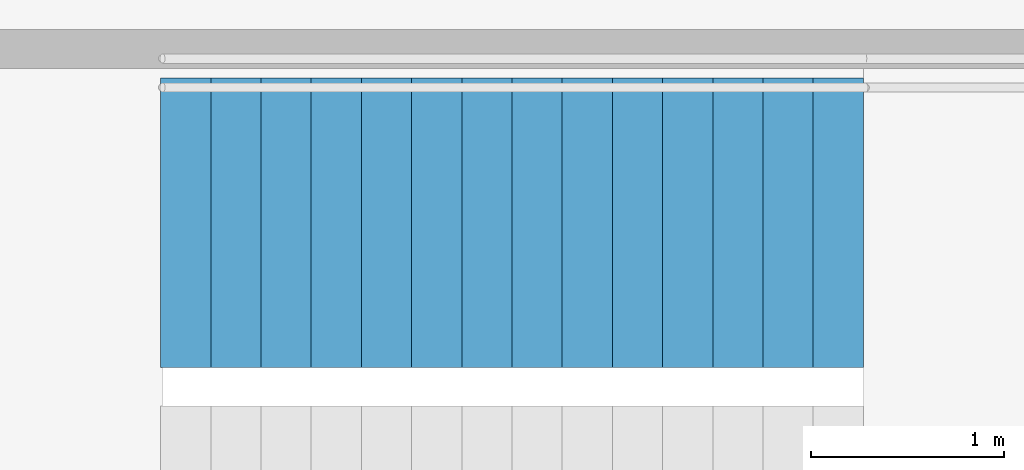
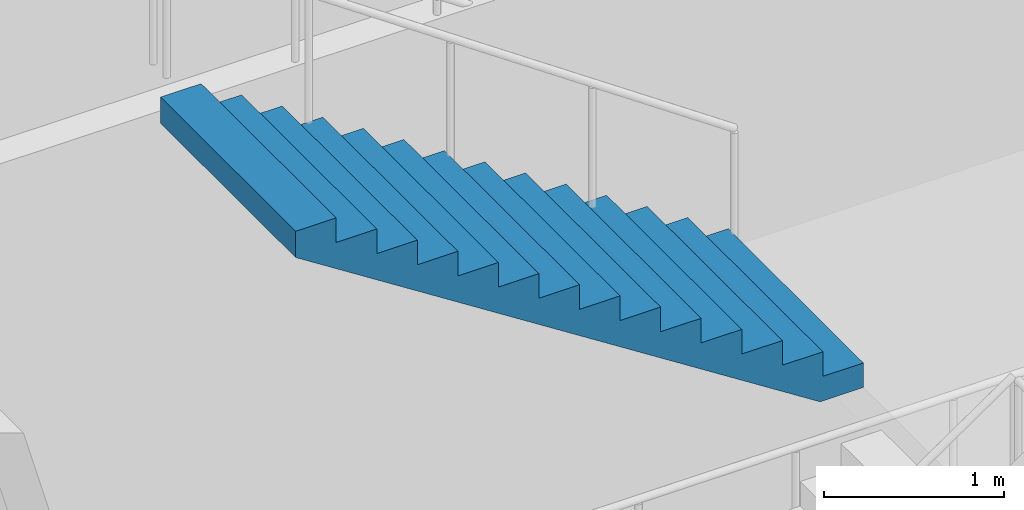
# One storey, part 12 of 19: 1 stair flight, 1 element without a shape of its own.
"""IFC4 building model written with IfcOpenShell, lengths in metres."""

from ifc_helpers import new_model, si_unit, direction, frame, origin, place, context, subcontext, project, spatial, polyline, outline, extrude, material, type_object, element, aggregate, save


model = new_model("IFC4")

# Units and contexts
model_context = context("Model", 3, precision=1e-05, world=origin(), true_north=direction((0.0, 1.0)))
body_context = subcontext(model_context, "Body", "Model", "MODEL_VIEW")
ifc_project = project(units=[si_unit("LENGTHUNIT", "METRE"), si_unit("AREAUNIT", "SQUARE_METRE"), si_unit("VOLUMEUNIT", "CUBIC_METRE"), si_unit("PLANEANGLEUNIT", "RADIAN"), si_unit("MASSUNIT", "GRAM", prefix="KILO")], contexts=[model_context])

# Site, building, storey
site_placement = place(None, origin())
site = spatial("IfcSite", under=ifc_project, at=site_placement, CompositionType="ELEMENT")
building_placement = place(site_placement, origin())
building = spatial("IfcBuilding", under=site, at=building_placement, Name="Cinnabar Reach Civic Tower", CompositionType="ELEMENT")
storey_placement = place(building_placement, frame((0.0, 0.0, -5.0)))
storey = spatial("IfcBuildingStorey", under=building, at=storey_placement, Name="B1", CompositionType="ELEMENT", Elevation=-5.0)

# Stair, stair flight
ifc_material = material(Name="Concrete C35", Category="concrete")
stair_type = type_object("IfcStairType", Name="Podium exit stair 1500", PredefinedType="HALF_TURN_STAIR", material=ifc_material)
stair_placement = place(storey_placement, origin())
stair = element("IfcStair", 1, at=stair_placement, inside=storey, type_object=stair_type, Name="Stair PS5", PredefinedType="HALF_TURN_STAIR")
stair_flight_type = type_object("IfcStairFlightType", Name="Podium exit stair flight 1500", PredefinedType="STRAIGHT", material=ifc_material)
stair_flight_placement = place(storey_placement, frame((59.93, 49.45, 2.5), z_axis=(0.0, 0.0, 1.0), x_axis=(-1.0, 0.0, 0.0)))
stair_flight = element("IfcStairFlight", 2, at=stair_flight_placement, type_object=stair_flight_type, Name="PS5 flight 2", NumberOfRisers=15, NumberOfTreads=14, PredefinedType="STRAIGHT", RiserHeight=0.166666667, TreadLength=0.26, context=body_context, shape_type="SweptSolid", body=[
    extrude(outline(polyline([(0.0, 0.0), (0.0, 0.1667), (0.26, 0.1667), (0.26, 0.3333), (0.52, 0.3333), (0.52, 0.5), (0.78, 0.5), (0.78, 0.6667), (1.04, 0.6667), (1.04, 0.8333), (1.3, 0.8333), (1.3, 1.0), (1.56, 1.0), (1.56, 1.1667), (1.82, 1.1667), (1.82, 1.3333), (2.08, 1.3333), (2.08, 1.5), (2.34, 1.5), (2.34, 1.6667), (2.6, 1.6667), (2.6, 1.8333), (2.86, 1.8333), (2.86, 2.0), (3.12, 2.0), (3.12, 2.1667), (3.38, 2.1667), (3.38, 2.3333), (3.64, 2.3333), (3.64, 2.5), (3.64, 2.1552), (0.2779, 0.0), (0.0, 0.0)])), frame((0.0, 0.75, 0.0), z_axis=(0.0, -1.0, 0.0), x_axis=(1.0, 0.0, 0.0)), (0.0, 0.0, 1.0), 1.5),
])
aggregate(stair, [stair_flight])

save(model, "model.ifc")
